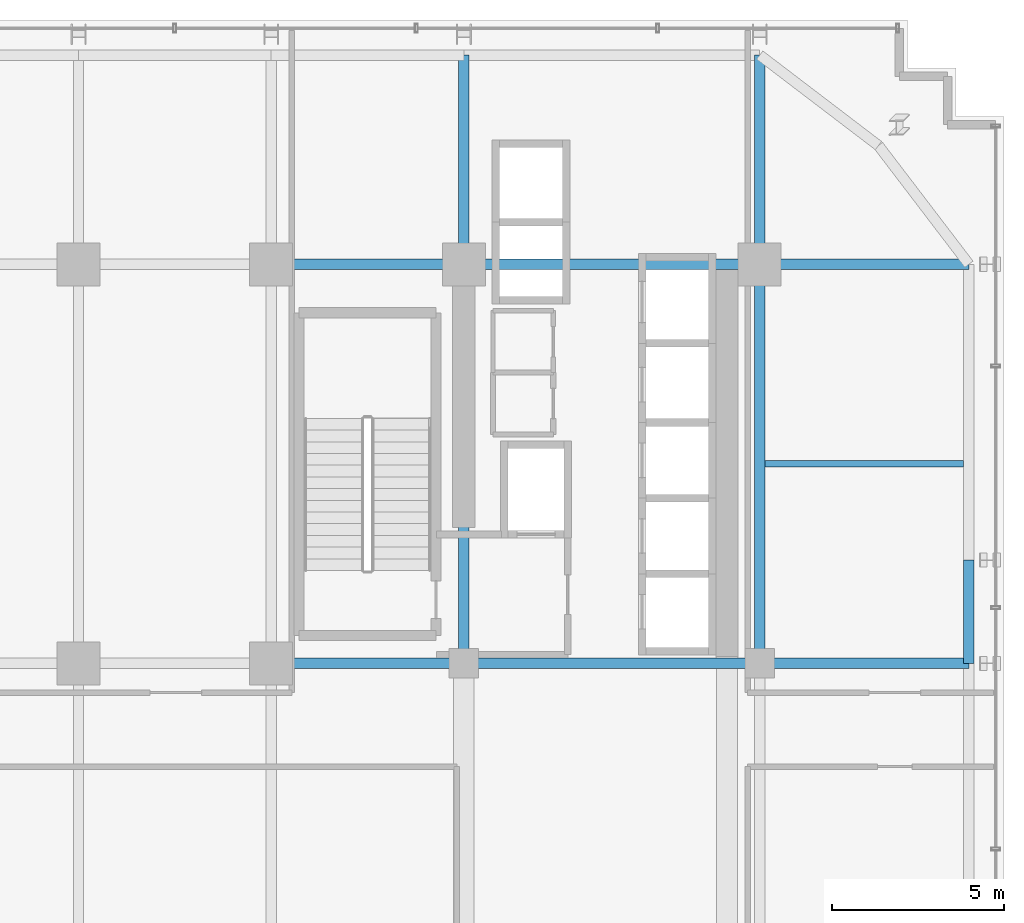
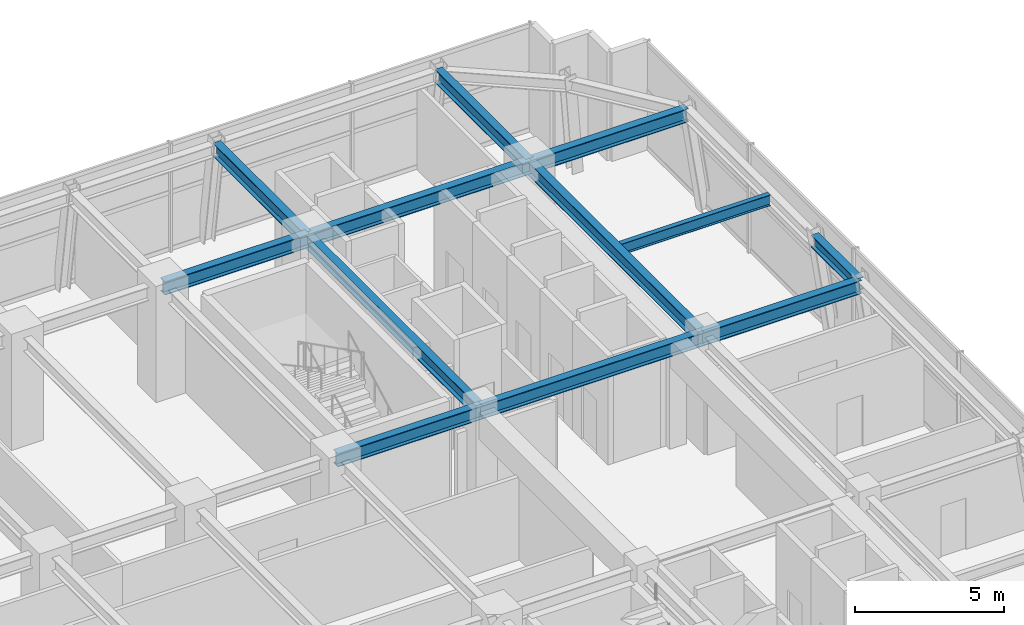
# One storey, part 16 of 26: 12 beams.
"""IFC4 building model written with IfcOpenShell, lengths in metres."""

import ifcopenshell
import ifcopenshell.guid

model = None  # the IFC model being written
_history = None  # IfcOwnerHistory: only IFC2X3 demands one
_inside = {}  # id of a spatial element -> (the spatial element, [elements in it])
_under = {}  # id of a project, library or spatial element -> (it, [spatial elements below it])
_declared = {}  # id of a project -> (the project, [libraries it declares])
_typed = {}  # id of a type object -> (the type object, [elements of that type])
_made_of = {}  # id of a material, layer set ... -> (it, [elements and type objects made of it])


def new_model(schema):
    """Start an empty IFC model of exactly this schema.

    Asked for "IFC4X3", IfcOpenShell would pick the latest addendum, in which some entities
    have other attributes; the version numbers below select the first issue.
    IFC2X3 requires an IfcOwnerHistory on every rooted entity: one is made here for all.
    """
    global model, _history
    if schema == "IFC4X3":
        model = ifcopenshell.file(schema_version=(4, 3, 0, 0))
    else:
        model = ifcopenshell.file(schema=schema)
    _inside.clear()
    _under.clear()
    _declared.clear()
    _typed.clear()
    _made_of.clear()
    _history = None
    if model.schema == "IFC2X3":
        org = make("IfcOrganization", Name="unknown")
        user = make(
            "IfcPersonAndOrganization",
            ThePerson=make("IfcPerson", FamilyName="unknown"),
            TheOrganization=org,
        )
        app = make(
            "IfcApplication",
            ApplicationDeveloper=org,
            Version="unknown",
            ApplicationFullName="unknown",
            ApplicationIdentifier="unknown",
        )
        _history = make(
            "IfcOwnerHistory",
            OwningUser=user,
            OwningApplication=app,
            ChangeAction="ADDED",
            CreationDate=0,
        )
    return model


def make(cls, **values):
    """One entity of the class cls with the attributes given. An attribute that is None is left unset."""
    return model.create_entity(
        cls, **{name: value for name, value in values.items() if value is not None}
    )


def rooted(cls, **values):
    """An entity with a GlobalId (a new one), such as an element, a storey or a relation."""
    return make(cls, GlobalId=ifcopenshell.guid.new(), OwnerHistory=_history, **values)


def si_unit(unit_type, name, prefix=None):
    """IfcSIUnit, for example si_unit("LENGTHUNIT", "METRE", prefix="MILLI")."""
    return make("IfcSIUnit", UnitType=unit_type, Prefix=prefix, Name=name)


def assignment(units):
    """IfcUnitAssignment: the units of a project."""
    return None if units is None else make("IfcUnitAssignment", Units=units)


def point(xyz):
    """IfcCartesianPoint."""
    return None if xyz is None else make("IfcCartesianPoint", Coordinates=xyz)


def direction(xyz):
    """IfcDirection."""
    return None if xyz is None else make("IfcDirection", DirectionRatios=xyz)


def frame(location, z_axis=None, x_axis=None):
    """IfcAxis2Placement3D, a coordinate frame: its origin and axes. An axis left out is left unset."""
    return make(
        "IfcAxis2Placement3D",
        Location=point(location),
        Axis=direction(z_axis),
        RefDirection=direction(x_axis),
    )


def frame_2d(location, x_axis=None):
    """IfcAxis2Placement2D, a coordinate frame in the plane: its origin and x axis."""
    return make(
        "IfcAxis2Placement2D", Location=point(location), RefDirection=direction(x_axis)
    )


def origin():
    """The frame at (0, 0, 0) with its axes left unset."""
    return frame((0.0, 0.0, 0.0))


def origin_2d():
    """The frame at (0, 0) in the plane with its x axis left unset."""
    return frame_2d((0.0, 0.0))


def place(relative_to, where):
    """IfcLocalPlacement: puts the frame where relative to a parent placement (None: the world)."""
    return make(
        "IfcLocalPlacement", PlacementRelTo=relative_to, RelativePlacement=where
    )


def context(
    kind, dimensions, precision=None, world=None, true_north=None, identifier=None
):
    """IfcGeometricRepresentationContext, for example the 3D "Model" context."""
    return make(
        "IfcGeometricRepresentationContext",
        ContextIdentifier=identifier,
        ContextType=kind,
        CoordinateSpaceDimension=dimensions,
        Precision=precision,
        WorldCoordinateSystem=world,
        TrueNorth=true_north,
    )


def subcontext(parent, identifier, kind, view, scale=None):
    """IfcGeometricRepresentationSubContext, for example "Body" below "Model"."""
    return make(
        "IfcGeometricRepresentationSubContext",
        ContextIdentifier=identifier,
        ContextType=kind,
        ParentContext=parent,
        TargetScale=scale,
        TargetView=view,
    )


def project(units=None, contexts=None):
    """IfcProject with its units and contexts."""
    return rooted(
        "IfcProject",
        Name="project",
        RepresentationContexts=contexts,
        UnitsInContext=assignment(units),
    )


def spatial(cls, under=None, at=None, **own):
    """A site, building, storey or space (cls), placed at a placement, below another one or the project."""
    s = rooted(cls, ObjectPlacement=at, **own)
    if under is not None:
        _under.setdefault(under.id(), (under, []))[1].append(s)
    return s


def profile(cls, at=None, kind="AREA", **sizes):
    """A parametric profile (cls). Its sizes go by their IFC names, for example OverallWidth=200.0."""
    return make(cls, ProfileType=kind, Position=at, **sizes)


def i_section(**sizes):
    """IfcIShapeProfileDef."""
    return profile("IfcIShapeProfileDef", **sizes)


def extrude(swept, where, along, depth):
    """IfcExtrudedAreaSolid: the profile swept, set in the frame where, extruded along a direction by depth."""
    return make(
        "IfcExtrudedAreaSolid",
        SweptArea=swept,
        Position=where,
        ExtrudedDirection=direction(along),
        Depth=depth,
    )


def shape(context_of_items, identifier, shape_type, items):
    """IfcShapeRepresentation: the items that make up one representation, for example the "Body"."""
    return make(
        "IfcShapeRepresentation",
        ContextOfItems=context_of_items,
        RepresentationIdentifier=identifier,
        RepresentationType=shape_type,
        Items=items,
    )


def source(mapping_origin, context_of_items, identifier, shape_type, items):
    """IfcRepresentationMap: a shape defined once, which mapped items show again and again."""
    return make(
        "IfcRepresentationMap",
        MappingOrigin=mapping_origin,
        MappedRepresentation=shape(context_of_items, identifier, shape_type, items),
    )


def transform(
    local_origin,
    x_axis=None,
    y_axis=None,
    z_axis=None,
    scale=None,
    scale2=None,
    scale3=None,
    uniform=True,
):
    """IfcCartesianTransformationOperator3D, or its non-uniform kind. x_axis, y_axis, z_axis: its Axis1, 2, 3."""
    if uniform:
        return make(
            "IfcCartesianTransformationOperator3D",
            Axis1=direction(x_axis),
            Axis2=direction(y_axis),
            LocalOrigin=point(local_origin),
            Scale=scale,
            Axis3=direction(z_axis),
        )
    return make(
        "IfcCartesianTransformationOperator3DnonUniform",
        Axis1=direction(x_axis),
        Axis2=direction(y_axis),
        LocalOrigin=point(local_origin),
        Scale=scale,
        Axis3=direction(z_axis),
        Scale2=scale2,
        Scale3=scale3,
    )


def mapped(mapping_source, mapping_target):
    """IfcMappedItem: shows the shape of a source again, moved by a transform."""
    return make(
        "IfcMappedItem", MappingSource=mapping_source, MappingTarget=mapping_target
    )


def material(Name=None, Category=None):
    """IfcMaterial."""
    return make("IfcMaterial", Name=Name, Category=Category)


def material_profile(
    of_material, cross_section, Name=None, Category=None, Priority=None
):
    """IfcMaterialProfile: a cross section and its material."""
    return make(
        "IfcMaterialProfile",
        Name=Name,
        Material=of_material,
        Profile=cross_section,
        Priority=Priority,
        Category=Category,
    )


def profile_set(profiles, Name=None, composite=None):
    """IfcMaterialProfileSet."""
    return make(
        "IfcMaterialProfileSet",
        Name=Name,
        MaterialProfiles=profiles,
        CompositeProfile=composite,
    )


def made_of(thing, what):
    """Note that an element or type object is made of a material, layer set ...; save() writes the relation."""
    if what is not None:
        _made_of.setdefault(what.id(), (what, []))[1].append(thing)
    return thing


def type_object(cls, material=None, **own):
    """A type object (cls), such as IfcWallType, which elements share."""
    return made_of(rooted(cls, **own), material)


def element(
    cls,
    number,
    at=None,
    inside=None,
    cuts=None,
    type_object=None,
    material=None,
    context=None,
    identifier="Body",
    shape_type=None,
    held_by="IfcProductDefinitionShape",
    body=None,
    shapes=None,
    **own,
):
    """One element of the class cls, such as IfcWall. Its Tag is "e" and its number.

    at: its placement. inside: the storey or other place that contains it. cuts: it is an
    opening in that element (IfcRelVoidsElement). A single representation is given by context,
    identifier, shape_type and body (its items); several are given by shapes. held_by: the class
    of the entity that holds the representations. save() writes the other relations.
    """
    e = rooted(cls, Tag="e%d" % number, ObjectPlacement=at, **own)
    if body is not None:
        shapes = [shape(context, identifier, shape_type, body)]
    if shapes is not None:
        e.Representation = make(held_by, Representations=shapes)
    if inside is not None:
        _inside.setdefault(inside.id(), (inside, []))[1].append(e)
    if cuts is not None:
        rooted(
            "IfcRelVoidsElement", RelatingBuildingElement=cuts, RelatedOpeningElement=e
        )
    if type_object is not None:
        _typed.setdefault(type_object.id(), (type_object, []))[1].append(e)
    return made_of(e, material)


def aggregate(whole, parts):
    """IfcRelAggregates: a whole, such as a stair, and the parts it consists of."""
    return rooted("IfcRelAggregates", RelatingObject=whole, RelatedObjects=parts)


def save(model, path):
    """Write the relations noted so far, then the file.

    IfcRelAggregates (storeys below a building ...), IfcRelContainedInSpatialStructure (elements
    in a storey), IfcRelDefinesByType, IfcRelAssociatesMaterial and IfcRelDeclares: one each for
    every whole, place, type object, material and project.
    """
    for whole, parts in _under.values():
        aggregate(whole, parts)
    for where, things in _inside.values():
        rooted(
            "IfcRelContainedInSpatialStructure",
            RelatedElements=things,
            RelatingStructure=where,
        )
    for kind, things in _typed.values():
        rooted("IfcRelDefinesByType", RelatedObjects=things, RelatingType=kind)
    for what, things in _made_of.values():
        rooted("IfcRelAssociatesMaterial", RelatedObjects=things, RelatingMaterial=what)
    for by, libraries in _declared.values():
        rooted("IfcRelDeclares", RelatingContext=by, RelatedDefinitions=libraries)
    model.write(path)


model = new_model("IFC4")

# Units and contexts
model_context = context("Model", 3, precision=1e-05, world=origin(), true_north=direction((0.0, 1.0)))
body_context = subcontext(model_context, "Body", "Model", "MODEL_VIEW")
ifc_project = project(units=[si_unit("LENGTHUNIT", "METRE"), si_unit("AREAUNIT", "SQUARE_METRE"), si_unit("VOLUMEUNIT", "CUBIC_METRE"), si_unit("PLANEANGLEUNIT", "RADIAN"), si_unit("MASSUNIT", "GRAM", prefix="KILO")], contexts=[model_context])

# Site, building, storey
site_placement = place(None, origin())
site = spatial("IfcSite", under=ifc_project, at=site_placement, CompositionType="ELEMENT")
building_placement = place(site_placement, origin())
building = spatial("IfcBuilding", under=site, at=building_placement, Name="Nahalor Promenade Grand Hotel", CompositionType="ELEMENT")
storey_placement = place(building_placement, frame((0.0, 0.0, 139.39990234375)))
storey = spatial("IfcBuildingStorey", under=building, at=storey_placement, Name="L35", CompositionType="ELEMENT", Elevation=139.39990234375)

# Beams
ifc_material = material(Name="Steel S355JR", Category="steel")
ifc_material_profile_1 = material_profile(ifc_material, i_section(OverallWidth=0.3, OverallDepth=0.5, WebThickness=0.0145, FlangeThickness=0.028, at=origin_2d()), Name="HEB 500")
ifc_profile_set_1 = profile_set([ifc_material_profile_1], Name="Steel S355JR")
beam_type_1 = type_object("IfcBeamType", Name="Beam-Spandrel-HEB500", PredefinedType="SPANDREL", material=ifc_profile_set_1)
shared_shape_1 = source(origin(), body_context, "Body", "SweptSolid", [
    extrude(i_section(OverallWidth=0.3, OverallDepth=0.5, WebThickness=0.0145, FlangeThickness=0.028, at=origin_2d()), origin(), (0.0, 0.0, 1.0), 3.0),
])
beam_1_placement = place(storey_placement, frame((23.080078125, 5.39990234375, 4.190185546875), z_axis=(0.0, 1.0, 0.0), x_axis=(-1.0, 0.0, 0.0)))
element("IfcBeam", 1, at=beam_1_placement, inside=storey, type_object=beam_type_1, Name="BM-L35-SP-E-3", PredefinedType="SPANDREL", context=body_context, shape_type="MappedRepresentation", body=[
    mapped(shared_shape_1, transform((0.0, 0.0, 0.0), scale=1.0)),
])
ifc_material_profile_2 = material_profile(ifc_material, i_section(OverallWidth=0.3, OverallDepth=0.55, WebThickness=0.015, FlangeThickness=0.029, at=origin_2d()), Name="HEB 550")
ifc_profile_set_2 = profile_set([ifc_material_profile_2], Name="Steel S355JR")
beam_type_2 = type_object("IfcBeamType", Name="Beam-Girder-HEB550", PredefinedType="BEAM", material=ifc_profile_set_2)
shared_shape_2 = source(origin(), body_context, "Body", "SweptSolid", [
    extrude(i_section(OverallWidth=0.3, OverallDepth=0.55, WebThickness=0.015, FlangeThickness=0.029, at=origin_2d()), origin(), (0.0, 0.0, 1.0), 8.60009765625),
])
for number, where, z_axis, x_axis, name in (
    (2, (8.39990234375, 5.39990234375, 4.1650390625), (1.0, 0.0, 0.0), (0.0, 1.0, 0.0), "BM-L35-GX-2-5"),
    (3, (8.39990234375, 17.0, 4.1650390625), (1.0, 0.0, 0.0), (0.0, 1.0, 0.0), "BM-L35-GX-3-5"),
):
    element("IfcBeam", number, at=place(storey_placement, frame(where, z_axis=z_axis, x_axis=x_axis)), inside=storey, type_object=beam_type_2, Name=name, PredefinedType="BEAM", context=body_context, shape_type="MappedRepresentation", body=[
        mapped(shared_shape_2, transform((0.0, 0.0, 0.0), scale=1.0)),
    ])
shared_shape_3 = source(origin(), body_context, "Body", "SweptSolid", [
    extrude(i_section(OverallWidth=0.3, OverallDepth=0.55, WebThickness=0.015, FlangeThickness=0.029, at=origin_2d()), origin(), (0.0, 0.0, 1.0), 5.599853515625),
])
for number, where, z_axis, x_axis, name in (
    (4, (2.800048828125, 5.39990234375, 4.1650390625), (1.0, 0.0, 0.0), (0.0, 1.0, 0.0), "BM-L35-GX-2-4"),
    (5, (2.800048828125, 17.0, 4.1650390625), (1.0, 0.0, 0.0), (0.0, 1.0, 0.0), "BM-L35-GX-3-4"),
):
    element("IfcBeam", number, at=place(storey_placement, frame(where, z_axis=z_axis, x_axis=x_axis)), inside=storey, type_object=beam_type_2, Name=name, PredefinedType="BEAM", context=body_context, shape_type="MappedRepresentation", body=[
        mapped(shared_shape_3, transform((0.0, 0.0, 0.0), scale=1.0)),
    ])
shared_shape_4 = source(origin(), body_context, "Body", "SweptSolid", [
    extrude(i_section(OverallWidth=0.3, OverallDepth=0.55, WebThickness=0.015, FlangeThickness=0.029, at=origin_2d()), origin(), (0.0, 0.0, 1.0), 11.60009765625),
])
for number, where, z_axis, x_axis, name in (
    (6, (8.39990234375, 5.39990234375, 4.1650390625), (0.0, 1.0, 0.0), (-1.0, 0.0, 0.0), "BM-L35-GY-4-3"),
    (7, (17.0, 5.39990234375, 4.1650390625), (0.0, 1.0, 0.0), (-1.0, 0.0, 0.0), "BM-L35-GY-5-3"),
):
    element("IfcBeam", number, at=place(storey_placement, frame(where, z_axis=z_axis, x_axis=x_axis)), inside=storey, type_object=beam_type_2, Name=name, PredefinedType="BEAM", context=body_context, shape_type="MappedRepresentation", body=[
        mapped(shared_shape_4, transform((0.0, 0.0, 0.0), scale=1.0)),
    ])
shared_shape_5 = source(origin(), body_context, "Body", "SweptSolid", [
    extrude(i_section(OverallWidth=0.3, OverallDepth=0.55, WebThickness=0.015, FlangeThickness=0.029, at=origin_2d()), origin(), (0.0, 0.0, 1.0), 6.080078125),
])
for number, where, z_axis, x_axis, name in (
    (8, (17.0, 5.39990234375, 4.1650390625), (1.0, 0.0, 0.0), (0.0, 1.0, 0.0), "BM-L35-GX-2-6"),
    (9, (17.0, 17.0, 4.1650390625), (1.0, 0.0, 0.0), (0.0, 1.0, 0.0), "BM-L35-GX-3-6"),
    (10, (8.39990234375, 17.0, 4.1650390625), (0.0, 1.0, 0.0), (-1.0, 0.0, 0.0), "BM-L35-GY-4-4"),
    (11, (17.0, 17.0, 4.1650390625), (0.0, 1.0, 0.0), (-1.0, 0.0, 0.0), "BM-L35-GY-5-4"),
):
    element("IfcBeam", number, at=place(storey_placement, frame(where, z_axis=z_axis, x_axis=x_axis)), inside=storey, type_object=beam_type_2, Name=name, PredefinedType="BEAM", context=body_context, shape_type="MappedRepresentation", body=[
        mapped(shared_shape_5, transform((0.0, 0.0, 0.0), scale=1.0)),
    ])
ifc_material_profile_3 = material_profile(ifc_material, i_section(OverallWidth=0.19, OverallDepth=0.45, WebThickness=0.0094, FlangeThickness=0.0146, at=origin_2d()), Name="IPE 450")
ifc_profile_set_3 = profile_set([ifc_material_profile_3], Name="Steel S355JR")
beam_type_3 = type_object("IfcBeamType", Name="Beam-Joist-IPE450", PredefinedType="JOIST", material=ifc_profile_set_3)
shared_shape_6 = source(origin(), body_context, "Body", "SweptSolid", [
    extrude(i_section(OverallWidth=0.19, OverallDepth=0.45, WebThickness=0.0094, FlangeThickness=0.0146, at=origin_2d()), origin(), (0.0, 0.0, 1.0), 5.780029296875),
])
beam_2_placement = place(storey_placement, frame((17.14990234375, 11.199951171875, 4.215087890625), z_axis=(1.0, 0.0, 0.0), x_axis=(0.0, 1.0, 0.0)))
element("IfcBeam", 12, at=beam_2_placement, inside=storey, type_object=beam_type_3, Name="BM-L35-JSE-1-2", PredefinedType="JOIST", context=body_context, shape_type="MappedRepresentation", body=[
    mapped(shared_shape_6, transform((0.0, 0.0, 0.0), scale=1.0)),
])

save(model, "model.ifc")
